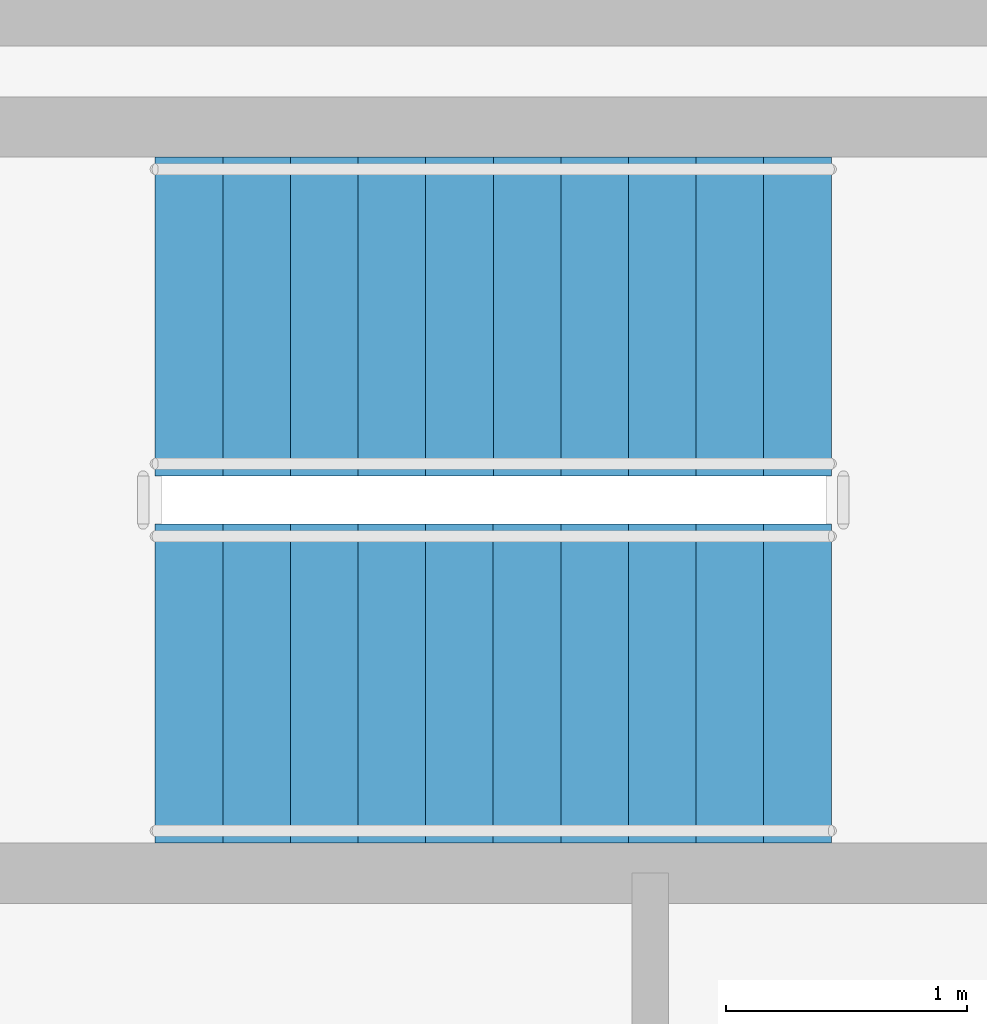
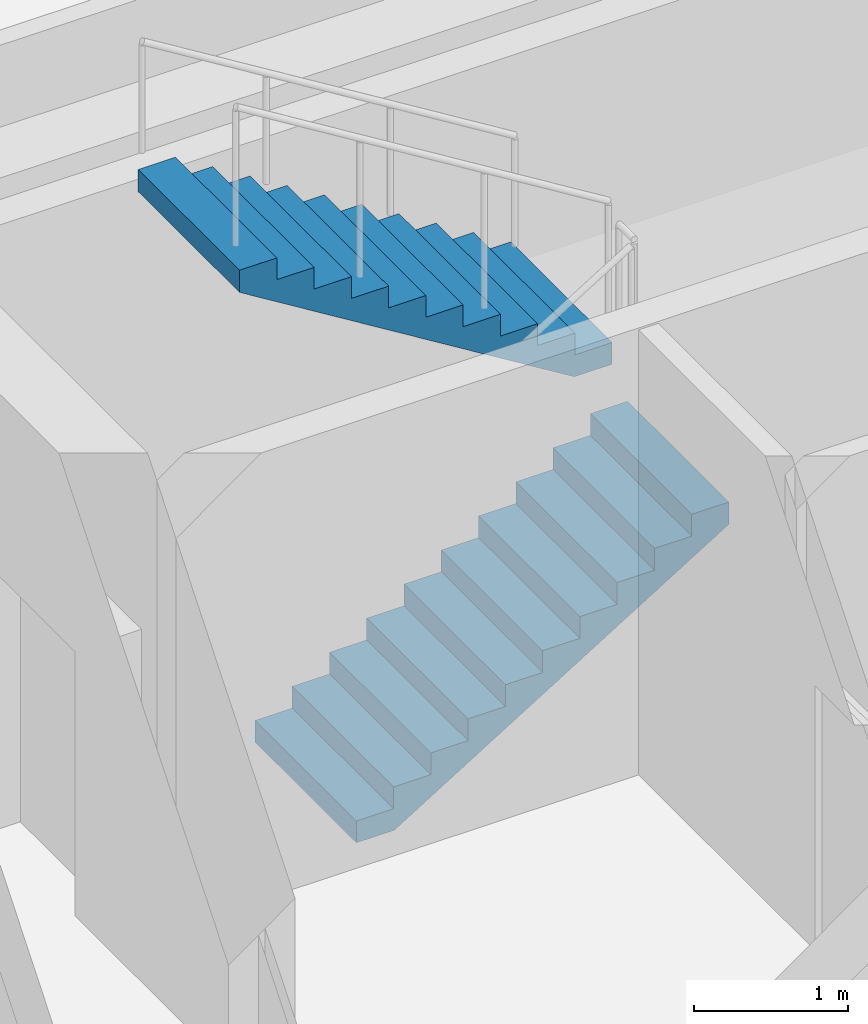
# One storey, part 12 of 14: 2 stair flights, 1 element without a shape of its own.
"""IFC4 building model written with IfcOpenShell, lengths in metres."""

from ifc_helpers import new_model, si_unit, direction, frame, origin, place, context, subcontext, project, spatial, polyline, outline, extrude, material, type_object, element, aggregate, save


model = new_model("IFC4")

# Units and contexts
model_context = context("Model", 3, precision=1e-05, world=origin(), true_north=direction((0.0, 1.0)))
body_context = subcontext(model_context, "Body", "Model", "MODEL_VIEW")
ifc_project = project(units=[si_unit("LENGTHUNIT", "METRE"), si_unit("AREAUNIT", "SQUARE_METRE"), si_unit("VOLUMEUNIT", "CUBIC_METRE"), si_unit("PLANEANGLEUNIT", "RADIAN"), si_unit("MASSUNIT", "GRAM", prefix="KILO")], contexts=[model_context])

# Site, building, storey
site_placement = place(None, origin())
site = spatial("IfcSite", under=ifc_project, at=site_placement, CompositionType="ELEMENT")
building_placement = place(site_placement, origin())
building = spatial("IfcBuilding", under=site, at=building_placement, Name="Solnavia Interchange Tower", CompositionType="ELEMENT")
storey_placement = place(building_placement, frame((0.0, 0.0, 158.0)))
storey = spatial("IfcBuildingStorey", under=building, at=storey_placement, Name="L39", CompositionType="ELEMENT", Elevation=158.0)

# Stair, stair flights
ifc_material = material(Name="Concrete C40/50", Category="concrete")
stair_type = type_object("IfcStairType", Name="Stair-Dogleg-RC", PredefinedType="HALF_TURN_STAIR", material=ifc_material)
stair_placement = place(storey_placement, origin())
stair = element("IfcStair", 1, at=stair_placement, inside=storey, type_object=stair_type, Name="L39 Core exit stair 3", PredefinedType="HALF_TURN_STAIR")
stair_flight_type = type_object("IfcStairFlightType", Name="StairFlight-RC-150", PredefinedType="STRAIGHT", material=ifc_material)
stair_flight_1_placement = place(storey_placement, frame((16.14990234375, 22.31005859375, 0.0), z_axis=(0.0, 0.0, 1.0), x_axis=(1.0, 0.0, 0.0)))
stair_flight_1 = element("IfcStairFlight", 2, at=stair_flight_1_placement, type_object=stair_flight_type, Name="ST-3 flight 1", NumberOfRisers=11, NumberOfTreads=10, PredefinedType="STRAIGHT", RiserHeight=0.172727273, TreadLength=0.28, context=body_context, shape_type="SweptSolid", body=[
    extrude(outline(polyline([(0.0, 0.0), (0.0, 0.172607421875), (0.280029296875, 0.172607421875), (0.280029296875, 0.345458984375), (0.56005859375, 0.345458984375), (0.56005859375, 0.51806640625), (0.840087890625, 0.51806640625), (0.840087890625, 0.69091796875), (1.1201171875, 0.69091796875), (1.1201171875, 0.863525390625), (1.39990234375, 0.863525390625), (1.39990234375, 1.036376953125), (1.679931640625, 1.036376953125), (1.679931640625, 1.208984375), (1.9599609375, 1.208984375), (1.9599609375, 1.3818359375), (2.239990234375, 1.3818359375), (2.239990234375, 1.554443359375), (2.52001953125, 1.554443359375), (2.52001953125, 1.727294921875), (2.800048828125, 1.727294921875), (2.800048828125, 1.89990234375), (2.800048828125, 1.551025390625), (0.285400390625, 0.0), (0.0, 0.0)])), frame((0.0, 0.66015625, 0.0), z_axis=(0.0, -1.0, 0.0), x_axis=(1.0, 0.0, 0.0)), (0.0, 0.0, 1.0), 1.320068359375),
])
stair_flight_2_placement = place(storey_placement, frame((18.949951171875, 23.830078125, 1.89990234375), z_axis=(0.0, 0.0, 1.0), x_axis=(-1.0, 0.0, 0.0)))
stair_flight_2 = element("IfcStairFlight", 3, at=stair_flight_2_placement, type_object=stair_flight_type, Name="ST-3 flight 2", NumberOfRisers=11, NumberOfTreads=10, PredefinedType="STRAIGHT", RiserHeight=0.172727273, TreadLength=0.28, context=body_context, shape_type="SweptSolid", body=[
    extrude(outline(polyline([(0.0, 0.0), (0.0, 0.172607421875), (0.280029296875, 0.172607421875), (0.280029296875, 0.345458984375), (0.56005859375, 0.345458984375), (0.56005859375, 0.51806640625), (0.840087890625, 0.51806640625), (0.840087890625, 0.69091796875), (1.1201171875, 0.69091796875), (1.1201171875, 0.863525390625), (1.39990234375, 0.863525390625), (1.39990234375, 1.036376953125), (1.679931640625, 1.036376953125), (1.679931640625, 1.208984375), (1.9599609375, 1.208984375), (1.9599609375, 1.3818359375), (2.239990234375, 1.3818359375), (2.239990234375, 1.554443359375), (2.52001953125, 1.554443359375), (2.52001953125, 1.727294921875), (2.800048828125, 1.727294921875), (2.800048828125, 1.89990234375), (2.800048828125, 1.551025390625), (0.285400390625, 0.0), (0.0, 0.0)])), frame((0.0, 0.66015625, 0.0), z_axis=(0.0, -1.0, 0.0), x_axis=(1.0, 0.0, 0.0)), (0.0, 0.0, 1.0), 1.320068359375),
])
aggregate(stair, [stair_flight_1, stair_flight_2])

save(model, "model.ifc")
